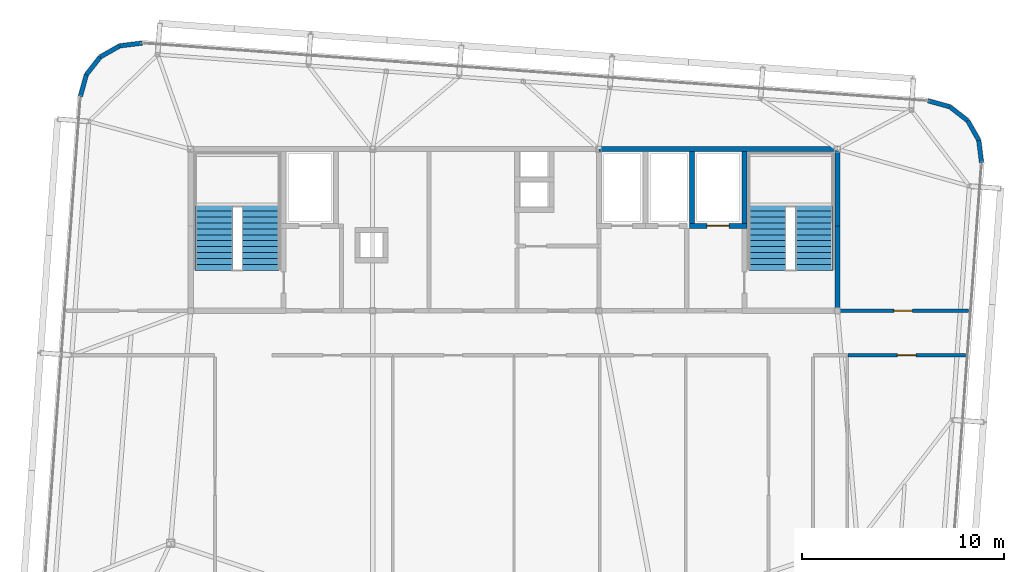
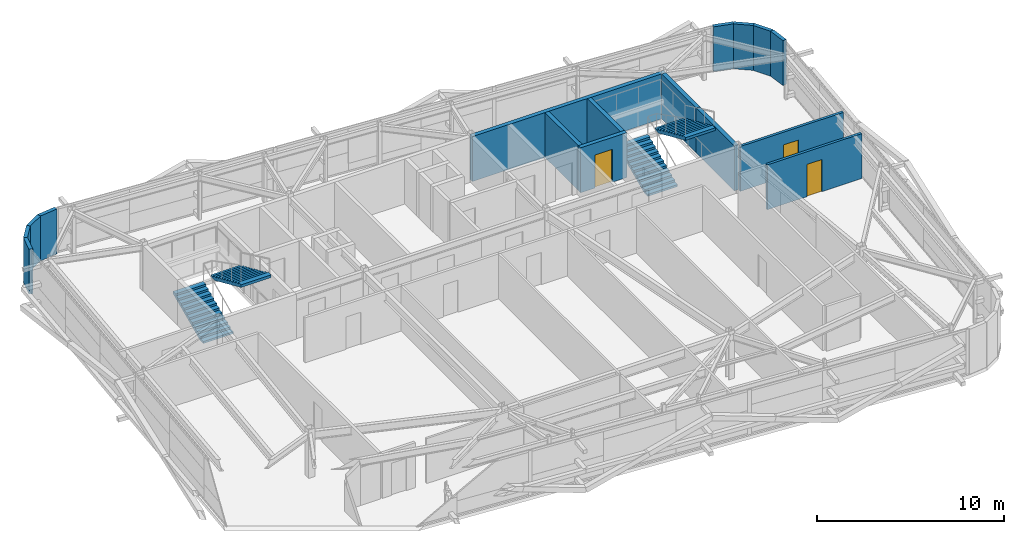
# One storey, part 33 of 34: 16 walls, 4 stair flights, 3 doors, 3 openings, 2 elements without a shape of their own.
"""IFC4 building model written with IfcOpenShell, lengths in metres."""

import ifcopenshell
import ifcopenshell.guid

model = None  # the IFC model being written
_history = None  # IfcOwnerHistory: only IFC2X3 demands one
_inside = {}  # id of a spatial element -> (the spatial element, [elements in it])
_under = {}  # id of a project, library or spatial element -> (it, [spatial elements below it])
_declared = {}  # id of a project -> (the project, [libraries it declares])
_typed = {}  # id of a type object -> (the type object, [elements of that type])
_made_of = {}  # id of a material, layer set ... -> (it, [elements and type objects made of it])


def new_model(schema):
    """Start an empty IFC model of exactly this schema.

    Asked for "IFC4X3", IfcOpenShell would pick the latest addendum, in which some entities
    have other attributes; the version numbers below select the first issue.
    IFC2X3 requires an IfcOwnerHistory on every rooted entity: one is made here for all.
    """
    global model, _history
    if schema == "IFC4X3":
        model = ifcopenshell.file(schema_version=(4, 3, 0, 0))
    else:
        model = ifcopenshell.file(schema=schema)
    _inside.clear()
    _under.clear()
    _declared.clear()
    _typed.clear()
    _made_of.clear()
    _history = None
    if model.schema == "IFC2X3":
        org = make("IfcOrganization", Name="unknown")
        user = make(
            "IfcPersonAndOrganization",
            ThePerson=make("IfcPerson", FamilyName="unknown"),
            TheOrganization=org,
        )
        app = make(
            "IfcApplication",
            ApplicationDeveloper=org,
            Version="unknown",
            ApplicationFullName="unknown",
            ApplicationIdentifier="unknown",
        )
        _history = make(
            "IfcOwnerHistory",
            OwningUser=user,
            OwningApplication=app,
            ChangeAction="ADDED",
            CreationDate=0,
        )
    return model


def make(cls, **values):
    """One entity of the class cls with the attributes given. An attribute that is None is left unset."""
    return model.create_entity(
        cls, **{name: value for name, value in values.items() if value is not None}
    )


def rooted(cls, **values):
    """An entity with a GlobalId (a new one), such as an element, a storey or a relation."""
    return make(cls, GlobalId=ifcopenshell.guid.new(), OwnerHistory=_history, **values)


def si_unit(unit_type, name, prefix=None):
    """IfcSIUnit, for example si_unit("LENGTHUNIT", "METRE", prefix="MILLI")."""
    return make("IfcSIUnit", UnitType=unit_type, Prefix=prefix, Name=name)


def assignment(units):
    """IfcUnitAssignment: the units of a project."""
    return None if units is None else make("IfcUnitAssignment", Units=units)


def point(xyz):
    """IfcCartesianPoint."""
    return None if xyz is None else make("IfcCartesianPoint", Coordinates=xyz)


def direction(xyz):
    """IfcDirection."""
    return None if xyz is None else make("IfcDirection", DirectionRatios=xyz)


def frame(location, z_axis=None, x_axis=None):
    """IfcAxis2Placement3D, a coordinate frame: its origin and axes. An axis left out is left unset."""
    return make(
        "IfcAxis2Placement3D",
        Location=point(location),
        Axis=direction(z_axis),
        RefDirection=direction(x_axis),
    )


def frame_2d(location, x_axis=None):
    """IfcAxis2Placement2D, a coordinate frame in the plane: its origin and x axis."""
    return make(
        "IfcAxis2Placement2D", Location=point(location), RefDirection=direction(x_axis)
    )


def origin():
    """The frame at (0, 0, 0) with its axes left unset."""
    return frame((0.0, 0.0, 0.0))


def place(relative_to, where):
    """IfcLocalPlacement: puts the frame where relative to a parent placement (None: the world)."""
    return make(
        "IfcLocalPlacement", PlacementRelTo=relative_to, RelativePlacement=where
    )


def context(
    kind, dimensions, precision=None, world=None, true_north=None, identifier=None
):
    """IfcGeometricRepresentationContext, for example the 3D "Model" context."""
    return make(
        "IfcGeometricRepresentationContext",
        ContextIdentifier=identifier,
        ContextType=kind,
        CoordinateSpaceDimension=dimensions,
        Precision=precision,
        WorldCoordinateSystem=world,
        TrueNorth=true_north,
    )


def subcontext(parent, identifier, kind, view, scale=None):
    """IfcGeometricRepresentationSubContext, for example "Body" below "Model"."""
    return make(
        "IfcGeometricRepresentationSubContext",
        ContextIdentifier=identifier,
        ContextType=kind,
        ParentContext=parent,
        TargetScale=scale,
        TargetView=view,
    )


def project(units=None, contexts=None):
    """IfcProject with its units and contexts."""
    return rooted(
        "IfcProject",
        Name="project",
        RepresentationContexts=contexts,
        UnitsInContext=assignment(units),
    )


def spatial(cls, under=None, at=None, **own):
    """A site, building, storey or space (cls), placed at a placement, below another one or the project."""
    s = rooted(cls, ObjectPlacement=at, **own)
    if under is not None:
        _under.setdefault(under.id(), (under, []))[1].append(s)
    return s


def polyline(points):
    """IfcPolyline through the points."""
    return make("IfcPolyline", Points=[point(p) for p in points])


def profile(cls, at=None, kind="AREA", **sizes):
    """A parametric profile (cls). Its sizes go by their IFC names, for example OverallWidth=200.0."""
    return make(cls, ProfileType=kind, Position=at, **sizes)


def rectangle(**sizes):
    """IfcRectangleProfileDef."""
    return profile("IfcRectangleProfileDef", **sizes)


def outline(outer, holes=None, kind="AREA"):
    """IfcArbitraryClosedProfileDef: a profile drawn as a closed curve; with holes, ...WithVoids."""
    if holes is None:
        return make("IfcArbitraryClosedProfileDef", ProfileType=kind, OuterCurve=outer)
    return make(
        "IfcArbitraryProfileDefWithVoids",
        ProfileType=kind,
        OuterCurve=outer,
        InnerCurves=holes,
    )


def extrude(swept, where, along, depth):
    """IfcExtrudedAreaSolid: the profile swept, set in the frame where, extruded along a direction by depth."""
    return make(
        "IfcExtrudedAreaSolid",
        SweptArea=swept,
        Position=where,
        ExtrudedDirection=direction(along),
        Depth=depth,
    )


def shape(context_of_items, identifier, shape_type, items):
    """IfcShapeRepresentation: the items that make up one representation, for example the "Body"."""
    return make(
        "IfcShapeRepresentation",
        ContextOfItems=context_of_items,
        RepresentationIdentifier=identifier,
        RepresentationType=shape_type,
        Items=items,
    )


def source(mapping_origin, context_of_items, identifier, shape_type, items):
    """IfcRepresentationMap: a shape defined once, which mapped items show again and again."""
    return make(
        "IfcRepresentationMap",
        MappingOrigin=mapping_origin,
        MappedRepresentation=shape(context_of_items, identifier, shape_type, items),
    )


def transform(
    local_origin,
    x_axis=None,
    y_axis=None,
    z_axis=None,
    scale=None,
    scale2=None,
    scale3=None,
    uniform=True,
):
    """IfcCartesianTransformationOperator3D, or its non-uniform kind. x_axis, y_axis, z_axis: its Axis1, 2, 3."""
    if uniform:
        return make(
            "IfcCartesianTransformationOperator3D",
            Axis1=direction(x_axis),
            Axis2=direction(y_axis),
            LocalOrigin=point(local_origin),
            Scale=scale,
            Axis3=direction(z_axis),
        )
    return make(
        "IfcCartesianTransformationOperator3DnonUniform",
        Axis1=direction(x_axis),
        Axis2=direction(y_axis),
        LocalOrigin=point(local_origin),
        Scale=scale,
        Axis3=direction(z_axis),
        Scale2=scale2,
        Scale3=scale3,
    )


def mapped(mapping_source, mapping_target):
    """IfcMappedItem: shows the shape of a source again, moved by a transform."""
    return make(
        "IfcMappedItem", MappingSource=mapping_source, MappingTarget=mapping_target
    )


def material(Name=None, Category=None):
    """IfcMaterial."""
    return make("IfcMaterial", Name=Name, Category=Category)


def layer(
    of_material, thickness, ventilated=None, Name=None, Category=None, Priority=None
):
    """IfcMaterialLayer: one layer of a wall or slab, of a material (None: an air gap)."""
    return make(
        "IfcMaterialLayer",
        Material=of_material,
        LayerThickness=thickness,
        IsVentilated=ventilated,
        Name=Name,
        Category=Category,
        Priority=Priority,
    )


def layer_set(layers, Name=None):
    """IfcMaterialLayerSet."""
    return make("IfcMaterialLayerSet", MaterialLayers=layers, LayerSetName=Name)


def made_of(thing, what):
    """Note that an element or type object is made of a material, layer set ...; save() writes the relation."""
    if what is not None:
        _made_of.setdefault(what.id(), (what, []))[1].append(thing)
    return thing


def type_object(cls, material=None, **own):
    """A type object (cls), such as IfcWallType, which elements share."""
    return made_of(rooted(cls, **own), material)


def element(
    cls,
    number,
    at=None,
    inside=None,
    cuts=None,
    type_object=None,
    material=None,
    context=None,
    identifier="Body",
    shape_type=None,
    held_by="IfcProductDefinitionShape",
    body=None,
    shapes=None,
    **own,
):
    """One element of the class cls, such as IfcWall. Its Tag is "e" and its number.

    at: its placement. inside: the storey or other place that contains it. cuts: it is an
    opening in that element (IfcRelVoidsElement). A single representation is given by context,
    identifier, shape_type and body (its items); several are given by shapes. held_by: the class
    of the entity that holds the representations. save() writes the other relations.
    """
    e = rooted(cls, Tag="e%d" % number, ObjectPlacement=at, **own)
    if body is not None:
        shapes = [shape(context, identifier, shape_type, body)]
    if shapes is not None:
        e.Representation = make(held_by, Representations=shapes)
    if inside is not None:
        _inside.setdefault(inside.id(), (inside, []))[1].append(e)
    if cuts is not None:
        rooted(
            "IfcRelVoidsElement", RelatingBuildingElement=cuts, RelatedOpeningElement=e
        )
    if type_object is not None:
        _typed.setdefault(type_object.id(), (type_object, []))[1].append(e)
    return made_of(e, material)


def fill(opening, filler):
    """IfcRelFillsElement: the door or window that sits in an opening."""
    return rooted(
        "IfcRelFillsElement",
        RelatingOpeningElement=opening,
        RelatedBuildingElement=filler,
    )


def aggregate(whole, parts):
    """IfcRelAggregates: a whole, such as a stair, and the parts it consists of."""
    return rooted("IfcRelAggregates", RelatingObject=whole, RelatedObjects=parts)


def save(model, path):
    """Write the relations noted so far, then the file.

    IfcRelAggregates (storeys below a building ...), IfcRelContainedInSpatialStructure (elements
    in a storey), IfcRelDefinesByType, IfcRelAssociatesMaterial and IfcRelDeclares: one each for
    every whole, place, type object, material and project.
    """
    for whole, parts in _under.values():
        aggregate(whole, parts)
    for where, things in _inside.values():
        rooted(
            "IfcRelContainedInSpatialStructure",
            RelatedElements=things,
            RelatingStructure=where,
        )
    for kind, things in _typed.values():
        rooted("IfcRelDefinesByType", RelatedObjects=things, RelatingType=kind)
    for what, things in _made_of.values():
        rooted("IfcRelAssociatesMaterial", RelatedObjects=things, RelatingMaterial=what)
    for by, libraries in _declared.values():
        rooted("IfcRelDeclares", RelatingContext=by, RelatedDefinitions=libraries)
    model.write(path)


model = new_model("IFC4")

# Units and contexts
model_context = context("Model", 3, precision=1e-05, world=origin(), true_north=direction((0.0, 1.0)))
body_context = subcontext(model_context, "Body", "Model", "MODEL_VIEW")
ifc_project = project(units=[si_unit("LENGTHUNIT", "METRE"), si_unit("AREAUNIT", "SQUARE_METRE"), si_unit("VOLUMEUNIT", "CUBIC_METRE"), si_unit("PLANEANGLEUNIT", "RADIAN"), si_unit("MASSUNIT", "GRAM", prefix="KILO")], contexts=[model_context])

# Site, building, storey
site_placement = place(None, origin())
site = spatial("IfcSite", under=ifc_project, at=site_placement, CompositionType="ELEMENT")
building_placement = place(site_placement, origin())
building = spatial("IfcBuilding", under=site, at=building_placement, Name="Taldren Reach Tower", CompositionType="ELEMENT")
storey_placement = place(building_placement, frame((0.0, 0.0, 242.89990234375)))
storey = spatial("IfcBuildingStorey", under=building, at=storey_placement, Name="L74", CompositionType="ELEMENT", Elevation=242.89990234375)

# Walls
ifc_material_1 = material(Name="Pale Champagne Anodised Aluminium Cladding", Category="aluminium")
ifc_layer_1 = layer(ifc_material_1, 0.04, Name="Pale Champagne Anodised Aluminium Cladding", Category="aluminium")
ifc_material_2 = material(Name="Mineral Wool Acoustic Insulation", Category="insulation")
ifc_layer_2 = layer(ifc_material_2, 0.06, Name="Mineral Wool Acoustic Insulation", Category="insulation")
ifc_material_3 = material(Name="Steel Gr 350 (C350L0)", Category="steel")
ifc_layer_3 = layer(ifc_material_3, 0.12, Name="Steel Gr 350 (C350L0)", Category="steel")
ifc_layer_set_1 = layer_set([ifc_layer_1, ifc_layer_2, ifc_layer_3], Name="Pale Champagne Aluminium Cladding and Steel Gr 350 Stud Framing")
wall_type_1 = type_object("IfcWallType", Name="EW-CRN-220", PredefinedType="SOLIDWALL", material=ifc_layer_set_1)
shared_shape_1 = source(origin(), body_context, "Body", "SweptSolid", [
    extrude(rectangle(XDim=1.115966796875, YDim=0.219970703125, at=frame_2d((0.55810546875, 0.0))), origin(), (0.0, 0.0, 1.0), 2.93017578125),
])
for number, where, z_axis, x_axis, name in (
    (1, (58.137451171875, 31.328125, 0.0), (0.0, 0.0, 1.0), (-0.122742076028, 0.992438604032, 0.0), "Rounded-corner pale-metal facade wall L74-NE1"),
    (2, (57.4501953125, 33.40625, 0.0), (0.0, 0.0, 1.0), (-0.788597772321, 0.614909386406, 0.0), "Rounded-corner pale-metal facade wall L74-NE3"),
    (3, (14.52099609375, 36.558837890625, 0.0), (0.0, 0.0, 1.0), (-0.614909386406, -0.788597772321, 0.0), "Rounded-corner pale-metal facade wall L74-NW3"),
):
    element("IfcWall", number, at=place(storey_placement, frame(where, z_axis=z_axis, x_axis=x_axis)), inside=storey, type_object=wall_type_1, Name=name, PredefinedType="SOLIDWALL", context=body_context, shape_type="MappedRepresentation", body=[
        mapped(shared_shape_1, transform((0.0, 0.0, 0.0), scale=1.0)),
    ])
shared_shape_2 = source(origin(), body_context, "Body", "SweptSolid", [
    extrude(rectangle(XDim=1.11572265625, YDim=0.219970703125, at=frame_2d((0.557861328125, 0.0))), origin(), (0.0, 0.0, 1.0), 2.93017578125),
])
for number, where, z_axis, x_axis, name in (
    (4, (58.00048828125, 32.435546875, 0.0), (0.0, 0.0, 1.0), (-0.493167138628, 0.869934579941, 0.0), "Rounded-corner pale-metal facade wall L74-NE2"),
    (5, (56.570068359375, 34.092529296875, 0.0), (0.0, 0.0, 1.0), (-0.963833843713, 0.266503886865, 0.0), "Rounded-corner pale-metal facade wall L74-NE4"),
    (6, (15.49169921875, 37.109130859375, 0.0), (0.0, 0.0, 1.0), (-0.869934579941, -0.493167138628, 0.0), "Rounded-corner pale-metal facade wall L74-NW2"),
    (7, (13.834716796875, 35.6787109375, 0.0), (0.0, 0.0, 1.0), (-0.266300605026, -0.963890028874, 0.0), "Rounded-corner pale-metal facade wall L74-NW4"),
):
    element("IfcWall", number, at=place(storey_placement, frame(where, z_axis=z_axis, x_axis=x_axis)), inside=storey, type_object=wall_type_1, Name=name, PredefinedType="SOLIDWALL", context=body_context, shape_type="MappedRepresentation", body=[
        mapped(shared_shape_2, transform((0.0, 0.0, 0.0), scale=1.0)),
    ])
shared_shape_3 = source(origin(), body_context, "Body", "SweptSolid", [
    extrude(rectangle(XDim=1.1162109375, YDim=0.219970703125, at=frame_2d((0.55810546875, 0.0))), origin(), (0.0, 0.0, 1.0), 2.93017578125),
])
wall_1_placement = place(storey_placement, frame((16.599365234375, 37.24609375, 0.0), z_axis=(0.0, 0.0, 1.0), x_axis=(-0.992441899189, -0.122715429897, 0.0)))
element("IfcWall", 8, at=wall_1_placement, inside=storey, type_object=wall_type_1, Name="Rounded-corner pale-metal facade wall L74-NW1", PredefinedType="SOLIDWALL", context=body_context, shape_type="MappedRepresentation", body=[
    mapped(shared_shape_3, transform((0.0, 0.0, 0.0), scale=1.0)),
])
ifc_material_4 = material(Name="Concrete S65 (65 MPa)", Category="concrete")
ifc_layer_4 = layer(ifc_material_4, 0.25)
ifc_layer_set_2 = layer_set([ifc_layer_4], Name="Concrete S65 (65 MPa)")
wall_type_2 = type_object("IfcWallType", Name="IW-CORE-250", PredefinedType="SHEAR", material=ifc_layer_set_2)
shared_shape_4 = source(origin(), body_context, "Body", "SweptSolid", [
    extrude(rectangle(XDim=11.925048828125, YDim=0.25, at=frame_2d((5.96240234375, 0.0))), origin(), (0.0, 0.0, 1.0), 2.93017578125),
])
wall_2_placement = place(storey_placement, frame((39.199951171875, 32.0, 0.0), z_axis=(0.0, 0.0, 1.0), x_axis=(1.0, 0.0, 0.0)))
element("IfcWall", 9, at=wall_2_placement, inside=storey, type_object=wall_type_2, Name="Rear Core Shear Wall W-CORE-L74-NORTH3", PredefinedType="SHEAR", context=body_context, shape_type="MappedRepresentation", body=[
    mapped(shared_shape_4, transform((0.0, 0.0, 0.0), scale=1.0)),
])
shared_shape_5 = source(origin(), body_context, "Body", "SweptSolid", [
    extrude(rectangle(XDim=4.074951171875, YDim=0.25, at=frame_2d((2.03759765625, 0.0))), origin(), (0.0, 0.0, 1.0), 2.93017578125),
])
wall_3_placement = place(storey_placement, frame((51.0, 24.125, 0.0), z_axis=(0.0, 0.0, 1.0), x_axis=(0.0, 1.0, 0.0)))
element("IfcWall", 10, at=wall_3_placement, inside=storey, type_object=wall_type_2, Name="Rear Core Shear Wall W-CORE-L74-EAST1", PredefinedType="SHEAR", context=body_context, shape_type="MappedRepresentation", body=[
    mapped(shared_shape_5, transform((0.0, 0.0, 0.0), scale=1.0)),
])
shared_shape_6 = source(origin(), body_context, "Body", "SweptSolid", [
    extrude(rectangle(XDim=3.675048828125, YDim=0.25, at=frame_2d((1.83740234375, 0.0))), origin(), (0.0, 0.0, 1.0), 2.93017578125),
])
wall_4_placement = place(storey_placement, frame((51.0, 28.199951171875, 0.0), z_axis=(0.0, 0.0, 1.0), x_axis=(0.0, 1.0, 0.0)))
element("IfcWall", 11, at=wall_4_placement, inside=storey, type_object=wall_type_2, Name="Rear Core Shear Wall W-CORE-L74-EAST2", PredefinedType="SHEAR", context=body_context, shape_type="MappedRepresentation", body=[
    mapped(shared_shape_6, transform((0.0, 0.0, 0.0), scale=1.0)),
])
shared_shape_7 = source(origin(), body_context, "Body", "SweptSolid", [
    extrude(rectangle(XDim=3.550048828125, YDim=0.25, at=frame_2d((1.77490234375, 0.0))), origin(), (0.0, 0.0, 1.0), 2.93017578125),
])
for number, where, z_axis, x_axis, name in (
    (12, (46.39990234375, 31.875, 0.0), (0.0, 0.0, 1.0), (0.0, -1.0, 0.0), "Rear Core Shear Wall W-INT-L74-008"),
    (13, (43.800048828125, 31.875, 0.0), (0.0, 0.0, 1.0), (0.0, -1.0, 0.0), "Rear Core Shear Wall W-INT-L74-012"),
):
    element("IfcWall", number, at=place(storey_placement, frame(where, z_axis=z_axis, x_axis=x_axis)), inside=storey, type_object=wall_type_2, Name=name, PredefinedType="SHEAR", context=body_context, shape_type="MappedRepresentation", body=[
        mapped(shared_shape_7, transform((0.0, 0.0, 0.0), scale=1.0)),
    ])

# Wall, opening, door
shared_shape_8 = source(origin(), body_context, "Body", "SweptSolid", [
    extrude(rectangle(XDim=2.849853515625, YDim=0.25, at=frame_2d((1.4248046875, 0.0))), origin(), (0.0, 0.0, 1.0), 2.93017578125),
])
wall_5_placement = place(storey_placement, frame((43.675048828125, 28.199951171875, 0.0), z_axis=(0.0, 0.0, 1.0), x_axis=(1.0, 0.0, 0.0)))
wall_5 = element("IfcWall", 14, at=wall_5_placement, inside=storey, type_object=wall_type_2, Name="Rear Core Shear Wall W-INT-L74-011", PredefinedType="SHEAR", context=body_context, shape_type="MappedRepresentation", body=[
    mapped(shared_shape_8, transform((0.0, 0.0, 0.0), scale=1.0)),
])
shared_shape_9 = source(origin(), body_context, "Body", "SweptSolid", [
    extrude(rectangle(XDim=1.10009765625, YDim=2.14990234375, at=frame_2d((0.550048828125, 1.074951171875))), frame((0.0, 0.135009765625, 0.0), z_axis=(0.0, -1.0, 0.0), x_axis=(1.0, 0.0, 0.0)), (0.0, 0.0, 1.0), 0.27001953125),
])
opening_1_placement = place(wall_5_placement, frame((0.875, 0.0, 0.0)))
opening_1 = element("IfcOpeningElement", 15, at=opening_1_placement, cuts=wall_5, Name="Opening LD-FL2", PredefinedType="OPENING", context=body_context, shape_type="MappedRepresentation", body=[
    mapped(shared_shape_9, transform((0.0, 0.0, 0.0), scale=1.0)),
])
ifc_material_5 = material(Name="Stainless Steel Gr 316 Emergency Lift Landing Door", Category="steel")
door_type_1 = type_object("IfcDoorType", Name="LD-EMG-110", OperationType="SLIDING_TO_LEFT", PredefinedType="DOOR", material=ifc_material_5)
shared_shape_10 = source(origin(), body_context, "Body", "SweptSolid", [
    extrude(rectangle(XDim=1.10009765625, YDim=2.14990234375, at=frame_2d((0.550048828125, 1.074951171875))), frame((0.0, 0.02490234375, 0.0), z_axis=(0.0, -1.0, 0.0), x_axis=(1.0, 0.0, 0.0)), (0.0, 0.0, 1.0), 0.050048828125),
])
door_1_placement = place(opening_1_placement, origin())
door_1 = element("IfcDoor", 16, at=door_1_placement, inside=storey, type_object=door_type_1, Name="Lift Landing Door LD-FL2-L74", OperationType="SLIDING_TO_LEFT", OverallHeight=2.14990234375, OverallWidth=1.10009765625, PredefinedType="DOOR", context=body_context, shape_type="MappedRepresentation", body=[
    mapped(shared_shape_10, transform((0.0, 0.0, 0.0), scale=1.0)),
])
fill(opening_1, door_1)

ifc_material_6 = material(Name="Fire-Rated Acoustic Plasterboard Stud Wall", Category="gypsum")
ifc_layer_5 = layer(ifc_material_6, 0.159912109375)
ifc_layer_set_3 = layer_set([ifc_layer_5], Name="Fire-Rated Acoustic Plasterboard Stud Wall")
wall_type_3 = type_object("IfcWallType", Name="IW-FIRE-160", PredefinedType="PARTITIONING", material=ifc_layer_set_3)
shared_shape_11 = source(origin(), body_context, "Body", "SweptSolid", [
    extrude(rectangle(XDim=6.378173828125, YDim=0.159912109375, at=frame_2d((3.18896484375, 0.0))), origin(), (0.0, 0.0, 1.0), 2.93017578125),
])
wall_6_placement = place(storey_placement, frame((51.125, 24.0, 0.0), z_axis=(0.0, 0.0, 1.0), x_axis=(1.0, 0.0, 0.0)))
wall_6 = element("IfcWall", 17, at=wall_6_placement, inside=storey, type_object=wall_type_3, Name="Interior Partition Wall W-INT-L74-045", PredefinedType="PARTITIONING", context=body_context, shape_type="MappedRepresentation", body=[
    mapped(shared_shape_11, transform((0.0, 0.0, 0.0), scale=1.0)),
])
shared_shape_12 = source(origin(), body_context, "Body", "SweptSolid", [
    extrude(rectangle(XDim=0.919921875, YDim=2.10009765625, at=frame_2d((0.4599609375, 1.050048828125))), frame((0.0, 0.08984375, 0.0), z_axis=(0.0, -1.0, 0.0), x_axis=(1.0, 0.0, 0.0)), (0.0, 0.0, 1.0), 0.179931640625),
])
opening_2_placement = place(wall_6_placement, frame((2.6767578125, 0.0, 0.0)))
opening_2 = element("IfcOpeningElement", 18, at=opening_2_placement, cuts=wall_6, Name="Opening DI-092", PredefinedType="OPENING", context=body_context, shape_type="MappedRepresentation", body=[
    mapped(shared_shape_12, transform((0.0, 0.0, 0.0), scale=1.0)),
])
ifc_material_7 = material(Name="Solid-Core Timber Suite Door", Category="wood")
door_type_2 = type_object("IfcDoorType", Name="ID-INT-092", OperationType="NOTDEFINED", PredefinedType="DOOR", material=ifc_material_7)
shared_shape_13 = source(origin(), body_context, "Body", "SweptSolid", [
    extrude(rectangle(XDim=0.919921875, YDim=2.10009765625, at=frame_2d((0.4599609375, 1.050048828125))), frame((0.0, 0.02490234375, 0.0), z_axis=(0.0, -1.0, 0.0), x_axis=(1.0, 0.0, 0.0)), (0.0, 0.0, 1.0), 0.050048828125),
])
door_2_placement = place(opening_2_placement, origin())
door_2 = element("IfcDoor", 19, at=door_2_placement, inside=storey, type_object=door_type_2, Name="Interior Door DR-L74-015", OperationType="SINGLE_SWING_RIGHT", OverallHeight=2.10009765625, OverallWidth=0.919921875, PredefinedType="DOOR", context=body_context, shape_type="MappedRepresentation", body=[
    mapped(shared_shape_13, transform((0.0, 0.0, 0.0), scale=1.0)),
])
fill(opening_2, door_2)

shared_shape_14 = source(origin(), body_context, "Body", "SweptSolid", [
    extrude(rectangle(XDim=5.8330078125, YDim=0.159912109375, at=frame_2d((2.91650390625, 0.0))), origin(), (0.0, 0.0, 1.0), 2.93017578125),
])
wall_7_placement = place(storey_placement, frame((57.353271484375, 21.800048828125, 0.0), z_axis=(0.0, 0.0, 1.0), x_axis=(-1.0, 0.0, 0.0)))
wall_7 = element("IfcWall", 20, at=wall_7_placement, inside=storey, type_object=wall_type_3, Name="Interior Partition Wall W-INT-L74-053", PredefinedType="PARTITIONING", context=body_context, shape_type="MappedRepresentation", body=[
    mapped(shared_shape_14, transform((0.0, 0.0, 0.0), scale=1.0)),
])
opening_3_placement = place(wall_7_placement, frame((2.45654296875, 0.0, 0.0)))
opening_3 = element("IfcOpeningElement", 21, at=opening_3_placement, cuts=wall_7, Name="Opening DI-092", PredefinedType="OPENING", context=body_context, shape_type="MappedRepresentation", body=[
    mapped(shared_shape_12, transform((0.0, 0.0, 0.0), scale=1.0)),
])
door_3_placement = place(opening_3_placement, origin())
door_3 = element("IfcDoor", 22, at=door_3_placement, inside=storey, type_object=door_type_2, Name="Interior Door DR-L74-019", OperationType="SINGLE_SWING_RIGHT", OverallHeight=2.10009765625, OverallWidth=0.919921875, PredefinedType="DOOR", context=body_context, shape_type="MappedRepresentation", body=[
    mapped(shared_shape_13, transform((0.0, 0.0, 0.0), scale=1.0)),
])
fill(opening_3, door_3)

# Stair, stair flights
ifc_material_8 = material(Name="Concrete S50 (50 MPa)", Category="concrete")
stair_type = type_object("IfcStairType", Name="ST-HT-315", PredefinedType="HALF_TURN_STAIR", material=ifc_material_8)
stair_1_placement = place(storey_placement, origin())
stair_1 = element("IfcStair", 23, at=stair_1_placement, inside=storey, type_object=stair_type, Name="Fire-isolated exit stair ST1 L74", PredefinedType="HALF_TURN_STAIR")
stair_flight_type = type_object("IfcStairFlightType", Name="SF-STR-315", PredefinedType="STRAIGHT", material=ifc_material_8)
stair_flight_1_placement = place(storey_placement, frame((20.139892578125, 25.989990234375, 0.0), z_axis=(0.0, 0.0, 1.0), x_axis=(0.0, 1.0, 0.0)))
stair_flight_1 = element("IfcStairFlight", 24, at=stair_flight_1_placement, type_object=stair_flight_type, Name="ST1 flight 1", NumberOfRisers=12, NumberOfTreads=11, PredefinedType="STRAIGHT", RiserHeight=0.13125, TreadLength=0.295, context=body_context, shape_type="SweptSolid", body=[
    extrude(outline(polyline([(0.0, 0.0), (0.0, 0.13134765625), (0.294921875, 0.13134765625), (0.294921875, 0.262451171875), (0.590087890625, 0.262451171875), (0.590087890625, 0.393798828125), (0.885009765625, 0.393798828125), (0.885009765625, 0.52490234375), (1.179931640625, 0.52490234375), (1.179931640625, 0.65625), (1.47509765625, 0.65625), (1.47509765625, 0.78759765625), (1.77001953125, 0.78759765625), (1.77001953125, 0.918701171875), (2.06494140625, 0.918701171875), (2.06494140625, 1.050048828125), (2.360107421875, 1.050048828125), (2.360107421875, 1.18115234375), (2.655029296875, 1.18115234375), (2.655029296875, 1.3125), (2.949951171875, 1.3125), (2.949951171875, 1.44384765625), (3.2451171875, 1.44384765625), (3.2451171875, 1.574951171875), (3.2451171875, 1.268798828125), (0.393310546875, 0.0), (0.0, 0.0)])), frame((0.0, 0.919921875, 0.0), z_axis=(0.0, -1.0, 0.0), x_axis=(1.0, 0.0, 0.0)), (0.0, 0.0, 1.0), 1.840087890625),
])
stair_flight_2_placement = place(storey_placement, frame((22.4599609375, 29.235107421875, 1.5751953125), z_axis=(0.0, 0.0, 1.0), x_axis=(0.0, -1.0, 0.0)))
stair_flight_2 = element("IfcStairFlight", 25, at=stair_flight_2_placement, type_object=stair_flight_type, Name="ST1 flight 2", NumberOfRisers=12, NumberOfTreads=11, PredefinedType="STRAIGHT", RiserHeight=0.13125, TreadLength=0.295, context=body_context, shape_type="SweptSolid", body=[
    extrude(outline(polyline([(0.0, 0.0), (0.0, 0.13134765625), (0.294921875, 0.13134765625), (0.294921875, 0.262451171875), (0.590087890625, 0.262451171875), (0.590087890625, 0.393798828125), (0.885009765625, 0.393798828125), (0.885009765625, 0.52490234375), (1.179931640625, 0.52490234375), (1.179931640625, 0.65625), (1.47509765625, 0.65625), (1.47509765625, 0.78759765625), (1.77001953125, 0.78759765625), (1.77001953125, 0.918701171875), (2.06494140625, 0.918701171875), (2.06494140625, 1.050048828125), (2.360107421875, 1.050048828125), (2.360107421875, 1.18115234375), (2.655029296875, 1.18115234375), (2.655029296875, 1.3125), (2.949951171875, 1.3125), (2.949951171875, 1.44384765625), (3.2451171875, 1.44384765625), (3.2451171875, 1.574951171875), (3.2451171875, 1.268798828125), (0.393310546875, 0.0), (0.0, 0.0)])), frame((0.0, 0.919921875, 0.0), z_axis=(0.0, -1.0, 0.0), x_axis=(1.0, 0.0, 0.0)), (0.0, 0.0, 1.0), 1.840087890625),
])
aggregate(stair_1, [stair_flight_1, stair_flight_2])

stair_2_placement = place(storey_placement, origin())
stair_2 = element("IfcStair", 26, at=stair_2_placement, inside=storey, type_object=stair_type, Name="Fire-isolated exit stair ST2 L74", PredefinedType="HALF_TURN_STAIR")
stair_flight_3_placement = place(storey_placement, frame((47.5400390625, 25.989990234375, 0.0), z_axis=(0.0, 0.0, 1.0), x_axis=(0.0, 1.0, 0.0)))
stair_flight_3 = element("IfcStairFlight", 27, at=stair_flight_3_placement, type_object=stair_flight_type, Name="ST2 flight 1", NumberOfRisers=12, NumberOfTreads=11, PredefinedType="STRAIGHT", RiserHeight=0.13125, TreadLength=0.295, context=body_context, shape_type="SweptSolid", body=[
    extrude(outline(polyline([(0.0, 0.0), (0.0, 0.13134765625), (0.294921875, 0.13134765625), (0.294921875, 0.262451171875), (0.590087890625, 0.262451171875), (0.590087890625, 0.393798828125), (0.885009765625, 0.393798828125), (0.885009765625, 0.52490234375), (1.179931640625, 0.52490234375), (1.179931640625, 0.65625), (1.47509765625, 0.65625), (1.47509765625, 0.78759765625), (1.77001953125, 0.78759765625), (1.77001953125, 0.918701171875), (2.06494140625, 0.918701171875), (2.06494140625, 1.050048828125), (2.360107421875, 1.050048828125), (2.360107421875, 1.18115234375), (2.655029296875, 1.18115234375), (2.655029296875, 1.3125), (2.949951171875, 1.3125), (2.949951171875, 1.44384765625), (3.2451171875, 1.44384765625), (3.2451171875, 1.574951171875), (3.2451171875, 1.268798828125), (0.393310546875, 0.0), (0.0, 0.0)])), frame((0.0, 0.919921875, 0.0), z_axis=(0.0, -1.0, 0.0), x_axis=(1.0, 0.0, 0.0)), (0.0, 0.0, 1.0), 1.840087890625),
])
stair_flight_4_placement = place(storey_placement, frame((49.860107421875, 29.235107421875, 1.5751953125), z_axis=(0.0, 0.0, 1.0), x_axis=(0.0, -1.0, 0.0)))
stair_flight_4 = element("IfcStairFlight", 28, at=stair_flight_4_placement, type_object=stair_flight_type, Name="ST2 flight 2", NumberOfRisers=12, NumberOfTreads=11, PredefinedType="STRAIGHT", RiserHeight=0.13125, TreadLength=0.295, context=body_context, shape_type="SweptSolid", body=[
    extrude(outline(polyline([(0.0, 0.0), (0.0, 0.13134765625), (0.294921875, 0.13134765625), (0.294921875, 0.262451171875), (0.590087890625, 0.262451171875), (0.590087890625, 0.393798828125), (0.885009765625, 0.393798828125), (0.885009765625, 0.52490234375), (1.179931640625, 0.52490234375), (1.179931640625, 0.65625), (1.47509765625, 0.65625), (1.47509765625, 0.78759765625), (1.77001953125, 0.78759765625), (1.77001953125, 0.918701171875), (2.06494140625, 0.918701171875), (2.06494140625, 1.050048828125), (2.360107421875, 1.050048828125), (2.360107421875, 1.18115234375), (2.655029296875, 1.18115234375), (2.655029296875, 1.3125), (2.949951171875, 1.3125), (2.949951171875, 1.44384765625), (3.2451171875, 1.44384765625), (3.2451171875, 1.574951171875), (3.2451171875, 1.268798828125), (0.393310546875, 0.0), (0.0, 0.0)])), frame((0.0, 0.919921875, 0.0), z_axis=(0.0, -1.0, 0.0), x_axis=(1.0, 0.0, 0.0)), (0.0, 0.0, 1.0), 1.840087890625),
])
aggregate(stair_2, [stair_flight_3, stair_flight_4])

save(model, "model.ifc")
